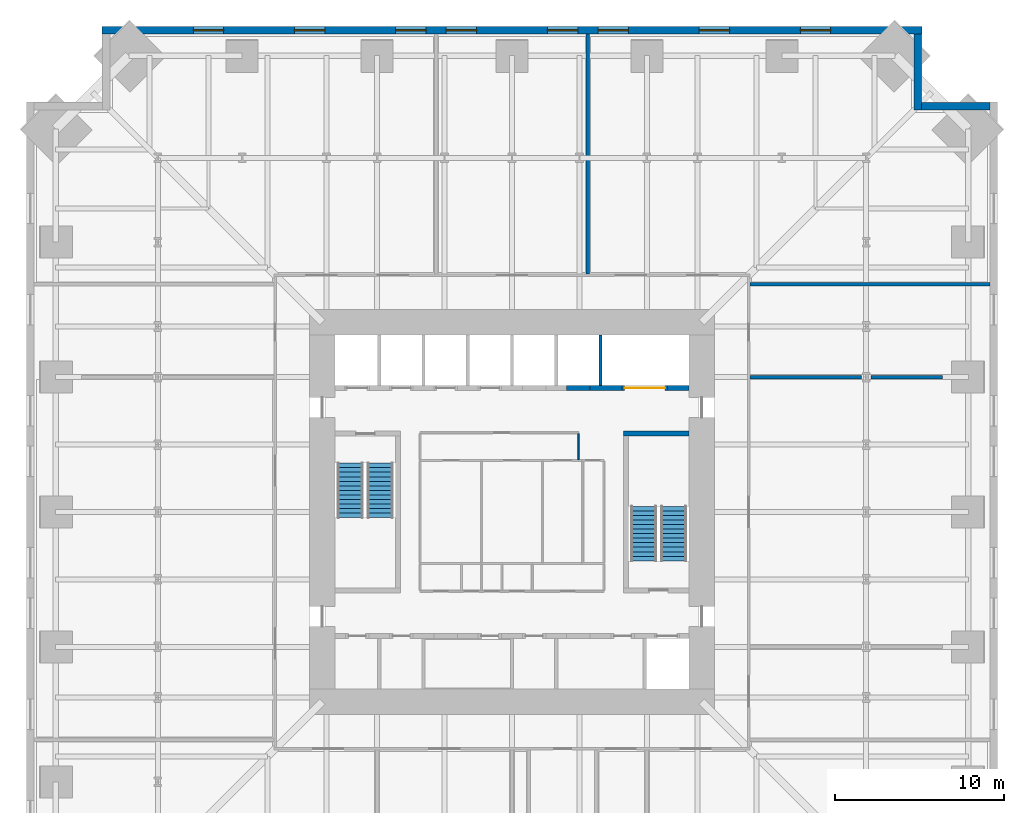
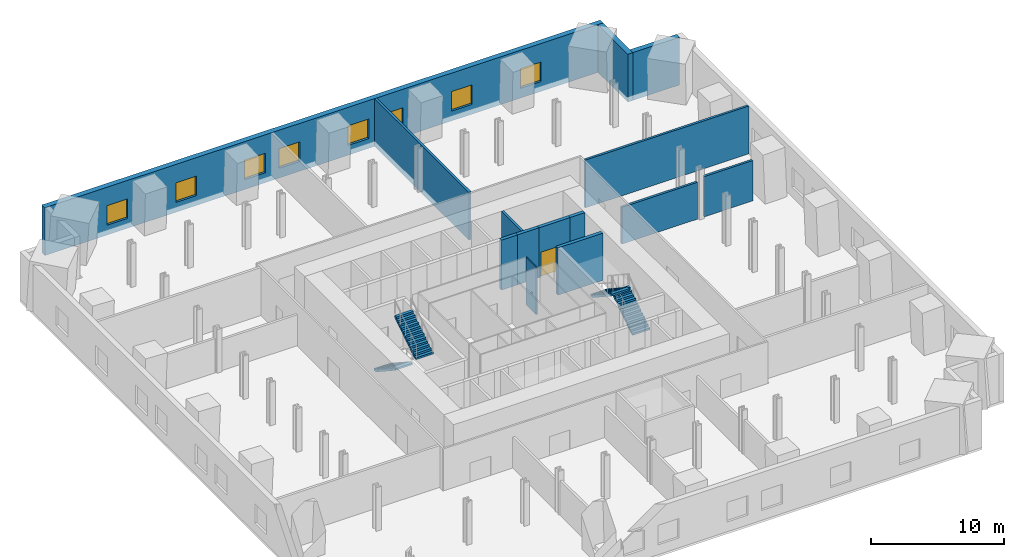
# One storey, part 7 of 8: 14 walls, 8 windows, 4 stair flights, 1 door, 9 openings, 2 elements without a shape of their own.
"""IFC4 building model written with IfcOpenShell, lengths in metres."""

from ifc_helpers import new_model, si_unit, direction, frame, frame_2d, origin, place, context, subcontext, project, spatial, polyline, rectangle, outline, extrude, material, layer, layer_set, type_object, element, fill, aggregate, save


model = new_model("IFC4")

# Units and contexts
model_context = context("Model", 3, precision=1e-05, world=origin(), true_north=direction((0.0, 1.0)))
body_context = subcontext(model_context, "Body", "Model", "MODEL_VIEW")
ifc_project = project(units=[si_unit("LENGTHUNIT", "METRE"), si_unit("AREAUNIT", "SQUARE_METRE"), si_unit("VOLUMEUNIT", "CUBIC_METRE"), si_unit("PLANEANGLEUNIT", "RADIAN"), si_unit("MASSUNIT", "GRAM", prefix="KILO")], contexts=[model_context])

# Site, building, storey
site_placement = place(None, origin())
site = spatial("IfcSite", under=ifc_project, at=site_placement, CompositionType="ELEMENT")
building_placement = place(site_placement, origin())
building = spatial("IfcBuilding", under=site, at=building_placement, Name="Peilmerk Tower", CompositionType="ELEMENT")
storey_placement = place(building_placement, frame((0.0, 0.0, 95.199951171875)))
storey = spatial("IfcBuildingStorey", under=building, at=storey_placement, Name="L18", CompositionType="ELEMENT", Elevation=95.199951171875)

# Wall, openings, windows
ifc_material_1 = material(Name="Precast concrete C45/55, board-marked finish", Category="concrete")
ifc_layer_1 = layer(ifc_material_1, 0.449951171875)
ifc_layer_set_1 = layer_set([ifc_layer_1], Name="Precast concrete C45/55, board-marked finish")
wall_type_1 = type_object("IfcWallType", Name="EW1 450 precast concrete facade wall, board-marked", PredefinedType="SOLIDWALL", material=ifc_layer_set_1)
wall_1_placement = place(storey_placement, frame((24.300048828125, 28.574951171875, 0.0), z_axis=(0.0, 0.0, 1.0), x_axis=(-1.0, 0.0, 0.0)))
wall_1 = element("IfcWall", 1, at=wall_1_placement, inside=storey, type_object=wall_type_1, Name="Facade wall N L18", PredefinedType="SOLIDWALL", context=body_context, shape_type="SweptSolid", body=[
    extrude(rectangle(XDim=48.60009765625, YDim=0.449951171875, at=frame_2d((24.300048828125, 0.0))), origin(), (0.0, 0.0, 1.0), 4.400146484375),
])
opening_1_placement = place(wall_1_placement, frame((5.39990234375, 0.0, 0.89990234375)))
opening_1 = element("IfcOpeningElement", 2, at=opening_1_placement, cuts=wall_1, Name="Opening W3", PredefinedType="OPENING", context=body_context, shape_type="SweptSolid", body=[
    extrude(rectangle(XDim=1.800048828125, YDim=1.800048828125, at=frame_2d((0.89990234375, 0.89990234375))), frame((0.0, 0.23486328125, 0.0), z_axis=(0.0, -1.0, 0.0), x_axis=(1.0, 0.0, 0.0)), (0.0, 0.0, 1.0), 0.469970703125),
])
opening_2_placement = place(wall_1_placement, frame((11.39990234375, 0.0, 0.89990234375)))
opening_2 = element("IfcOpeningElement", 3, at=opening_2_placement, cuts=wall_1, Name="Opening W3", PredefinedType="OPENING", context=body_context, shape_type="SweptSolid", body=[
    extrude(rectangle(XDim=1.800048828125, YDim=1.800048828125, at=frame_2d((0.89990234375, 0.89990234375))), frame((0.0, 0.23486328125, 0.0), z_axis=(0.0, -1.0, 0.0), x_axis=(1.0, 0.0, 0.0)), (0.0, 0.0, 1.0), 0.469970703125),
])
opening_3_placement = place(wall_1_placement, frame((17.39990234375, 0.0, 0.89990234375)))
opening_3 = element("IfcOpeningElement", 4, at=opening_3_placement, cuts=wall_1, Name="Opening W3", PredefinedType="OPENING", context=body_context, shape_type="SweptSolid", body=[
    extrude(rectangle(XDim=1.800048828125, YDim=1.800048828125, at=frame_2d((0.89990234375, 0.89990234375))), frame((0.0, 0.23486328125, 0.0), z_axis=(0.0, -1.0, 0.0), x_axis=(1.0, 0.0, 0.0)), (0.0, 0.0, 1.0), 0.469970703125),
])
opening_4_placement = place(wall_1_placement, frame((20.39990234375, 0.0, 0.89990234375)))
opening_4 = element("IfcOpeningElement", 5, at=opening_4_placement, cuts=wall_1, Name="Opening W3", PredefinedType="OPENING", context=body_context, shape_type="SweptSolid", body=[
    extrude(rectangle(XDim=1.800048828125, YDim=1.800048828125, at=frame_2d((0.89990234375, 0.89990234375))), frame((0.0, 0.23486328125, 0.0), z_axis=(0.0, -1.0, 0.0), x_axis=(1.0, 0.0, 0.0)), (0.0, 0.0, 1.0), 0.469970703125),
])
opening_5_placement = place(wall_1_placement, frame((26.39990234375, 0.0, 0.89990234375)))
opening_5 = element("IfcOpeningElement", 6, at=opening_5_placement, cuts=wall_1, Name="Opening W3", PredefinedType="OPENING", context=body_context, shape_type="SweptSolid", body=[
    extrude(rectangle(XDim=1.800048828125, YDim=1.800048828125, at=frame_2d((0.89990234375, 0.89990234375))), frame((0.0, 0.23486328125, 0.0), z_axis=(0.0, -1.0, 0.0), x_axis=(1.0, 0.0, 0.0)), (0.0, 0.0, 1.0), 0.469970703125),
])
opening_6_placement = place(wall_1_placement, frame((29.39990234375, 0.0, 0.89990234375)))
opening_6 = element("IfcOpeningElement", 7, at=opening_6_placement, cuts=wall_1, Name="Opening W3", PredefinedType="OPENING", context=body_context, shape_type="SweptSolid", body=[
    extrude(rectangle(XDim=1.800048828125, YDim=1.800048828125, at=frame_2d((0.89990234375, 0.89990234375))), frame((0.0, 0.23486328125, 0.0), z_axis=(0.0, -1.0, 0.0), x_axis=(1.0, 0.0, 0.0)), (0.0, 0.0, 1.0), 0.469970703125),
])
opening_7_placement = place(wall_1_placement, frame((35.39990234375, 0.0, 0.89990234375)))
opening_7 = element("IfcOpeningElement", 8, at=opening_7_placement, cuts=wall_1, Name="Opening W3", PredefinedType="OPENING", context=body_context, shape_type="SweptSolid", body=[
    extrude(rectangle(XDim=1.800048828125, YDim=1.800048828125, at=frame_2d((0.89990234375, 0.89990234375))), frame((0.0, 0.23486328125, 0.0), z_axis=(0.0, -1.0, 0.0), x_axis=(1.0, 0.0, 0.0)), (0.0, 0.0, 1.0), 0.469970703125),
])
opening_8_placement = place(wall_1_placement, frame((41.39990234375, 0.0, 0.89990234375)))
opening_8 = element("IfcOpeningElement", 9, at=opening_8_placement, cuts=wall_1, Name="Opening W3", PredefinedType="OPENING", context=body_context, shape_type="SweptSolid", body=[
    extrude(rectangle(XDim=1.800048828125, YDim=1.800048828125, at=frame_2d((0.89990234375, 0.89990234375))), frame((0.0, 0.23486328125, 0.0), z_axis=(0.0, -1.0, 0.0), x_axis=(1.0, 0.0, 0.0)), (0.0, 0.0, 1.0), 0.469970703125),
])
ifc_material_2 = material(Name="Aluminium frame, clear double glazing", Category="aluminium")
window_type = type_object("IfcWindowType", Name="W3 1800x1800 telecom floor window", PartitioningType="SINGLE_PANEL", PredefinedType="WINDOW", material=ifc_material_2)
window_1_placement = place(opening_1_placement, origin())
window_1 = element("IfcWindow", 10, at=window_1_placement, inside=storey, type_object=window_type, Name="Window W3 L18", OverallHeight=1.800048828125, OverallWidth=1.800048828125, PartitioningType="SINGLE_PANEL", PredefinedType="WINDOW", context=body_context, shape_type="SweptSolid", body=[
    extrude(rectangle(XDim=1.800048828125, YDim=1.800048828125, at=frame_2d((0.89990234375, 0.89990234375))), frame((0.0, 0.030029296875, 0.0), z_axis=(0.0, -1.0, 0.0), x_axis=(1.0, 0.0, 0.0)), (0.0, 0.0, 1.0), 0.06005859375),
])
fill(opening_1, window_1)
window_2_placement = place(opening_2_placement, origin())
window_2 = element("IfcWindow", 11, at=window_2_placement, inside=storey, type_object=window_type, Name="Window W3 L18", OverallHeight=1.800048828125, OverallWidth=1.800048828125, PartitioningType="SINGLE_PANEL", PredefinedType="WINDOW", context=body_context, shape_type="SweptSolid", body=[
    extrude(rectangle(XDim=1.800048828125, YDim=1.800048828125, at=frame_2d((0.89990234375, 0.89990234375))), frame((0.0, 0.030029296875, 0.0), z_axis=(0.0, -1.0, 0.0), x_axis=(1.0, 0.0, 0.0)), (0.0, 0.0, 1.0), 0.06005859375),
])
fill(opening_2, window_2)
window_3_placement = place(opening_3_placement, origin())
window_3 = element("IfcWindow", 12, at=window_3_placement, inside=storey, type_object=window_type, Name="Window W3 L18", OverallHeight=1.800048828125, OverallWidth=1.800048828125, PartitioningType="SINGLE_PANEL", PredefinedType="WINDOW", context=body_context, shape_type="SweptSolid", body=[
    extrude(rectangle(XDim=1.800048828125, YDim=1.800048828125, at=frame_2d((0.89990234375, 0.89990234375))), frame((0.0, 0.030029296875, 0.0), z_axis=(0.0, -1.0, 0.0), x_axis=(1.0, 0.0, 0.0)), (0.0, 0.0, 1.0), 0.06005859375),
])
fill(opening_3, window_3)
window_4_placement = place(opening_4_placement, origin())
window_4 = element("IfcWindow", 13, at=window_4_placement, inside=storey, type_object=window_type, Name="Window W3 L18", OverallHeight=1.800048828125, OverallWidth=1.800048828125, PartitioningType="SINGLE_PANEL", PredefinedType="WINDOW", context=body_context, shape_type="SweptSolid", body=[
    extrude(rectangle(XDim=1.800048828125, YDim=1.800048828125, at=frame_2d((0.89990234375, 0.89990234375))), frame((0.0, 0.030029296875, 0.0), z_axis=(0.0, -1.0, 0.0), x_axis=(1.0, 0.0, 0.0)), (0.0, 0.0, 1.0), 0.06005859375),
])
fill(opening_4, window_4)
window_5_placement = place(opening_5_placement, origin())
window_5 = element("IfcWindow", 14, at=window_5_placement, inside=storey, type_object=window_type, Name="Window W3 L18", OverallHeight=1.800048828125, OverallWidth=1.800048828125, PartitioningType="SINGLE_PANEL", PredefinedType="WINDOW", context=body_context, shape_type="SweptSolid", body=[
    extrude(rectangle(XDim=1.800048828125, YDim=1.800048828125, at=frame_2d((0.89990234375, 0.89990234375))), frame((0.0, 0.030029296875, 0.0), z_axis=(0.0, -1.0, 0.0), x_axis=(1.0, 0.0, 0.0)), (0.0, 0.0, 1.0), 0.06005859375),
])
fill(opening_5, window_5)
window_6_placement = place(opening_6_placement, origin())
window_6 = element("IfcWindow", 15, at=window_6_placement, inside=storey, type_object=window_type, Name="Window W3 L18", OverallHeight=1.800048828125, OverallWidth=1.800048828125, PartitioningType="SINGLE_PANEL", PredefinedType="WINDOW", context=body_context, shape_type="SweptSolid", body=[
    extrude(rectangle(XDim=1.800048828125, YDim=1.800048828125, at=frame_2d((0.89990234375, 0.89990234375))), frame((0.0, 0.030029296875, 0.0), z_axis=(0.0, -1.0, 0.0), x_axis=(1.0, 0.0, 0.0)), (0.0, 0.0, 1.0), 0.06005859375),
])
fill(opening_6, window_6)
window_7_placement = place(opening_7_placement, origin())
window_7 = element("IfcWindow", 16, at=window_7_placement, inside=storey, type_object=window_type, Name="Window W3 L18", OverallHeight=1.800048828125, OverallWidth=1.800048828125, PartitioningType="SINGLE_PANEL", PredefinedType="WINDOW", context=body_context, shape_type="SweptSolid", body=[
    extrude(rectangle(XDim=1.800048828125, YDim=1.800048828125, at=frame_2d((0.89990234375, 0.89990234375))), frame((0.0, 0.030029296875, 0.0), z_axis=(0.0, -1.0, 0.0), x_axis=(1.0, 0.0, 0.0)), (0.0, 0.0, 1.0), 0.06005859375),
])
fill(opening_7, window_7)
window_8_placement = place(opening_8_placement, origin())
window_8 = element("IfcWindow", 17, at=window_8_placement, inside=storey, type_object=window_type, Name="Window W3 L18", OverallHeight=1.800048828125, OverallWidth=1.800048828125, PartitioningType="SINGLE_PANEL", PredefinedType="WINDOW", context=body_context, shape_type="SweptSolid", body=[
    extrude(rectangle(XDim=1.800048828125, YDim=1.800048828125, at=frame_2d((0.89990234375, 0.89990234375))), frame((0.0, 0.030029296875, 0.0), z_axis=(0.0, -1.0, 0.0), x_axis=(1.0, 0.0, 0.0)), (0.0, 0.0, 1.0), 0.06005859375),
])
fill(opening_8, window_8)

# Walls
wall_2_placement = place(storey_placement, frame((24.074951171875, 23.85009765625, 0.0), z_axis=(0.0, 0.0, 1.0), x_axis=(0.0, 1.0, 0.0)))
element("IfcWall", 18, at=wall_2_placement, inside=storey, type_object=wall_type_1, Name="Facade wall NEA L18", PredefinedType="SOLIDWALL", context=body_context, shape_type="SweptSolid", body=[
    extrude(rectangle(XDim=4.5, YDim=0.449951171875, at=frame_2d((2.25, 0.0))), origin(), (0.0, 0.0, 1.0), 4.400146484375),
])
wall_3_placement = place(storey_placement, frame((24.300048828125, 24.074951171875, 0.0), z_axis=(0.0, 0.0, 1.0), x_axis=(1.0, 0.0, 0.0)))
element("IfcWall", 19, at=wall_3_placement, inside=storey, type_object=wall_type_1, Name="Facade wall NEB L18", PredefinedType="SOLIDWALL", context=body_context, shape_type="SweptSolid", body=[
    extrude(rectangle(XDim=4.050048828125, YDim=0.449951171875, at=frame_2d((2.02490234375, 0.0))), origin(), (0.0, 0.0, 1.0), 4.400146484375),
])
ifc_material_3 = material(Name="Calcium silicate block", Category="masonry")
ifc_layer_2 = layer(ifc_material_3, 0.199951171875)
ifc_layer_set_2 = layer_set([ifc_layer_2], Name="Calcium silicate block")
wall_type_2 = type_object("IfcWallType", Name="IW2 200 room separating wall, EI 120", PredefinedType="PARTITIONING", material=ifc_layer_set_2)
for number, where, z_axis, x_axis, name in (
    (20, (14.125, 13.5, 0.0), (0.0, 0.0, 1.0), (1.0, 0.0, 0.0), "Room separating wall NE L18"),
    (21, (4.5, 14.125, 0.0), (0.0, 0.0, 1.0), (0.0, 1.0, 0.0), "Room separating wall N2 L18"),
):
    element("IfcWall", number, at=place(storey_placement, frame(where, z_axis=z_axis, x_axis=x_axis)), inside=storey, type_object=wall_type_2, Name=name, PredefinedType="PARTITIONING", context=body_context, shape_type="SweptSolid", body=[
        extrude(rectangle(XDim=14.22509765625, YDim=0.199951171875, at=frame_2d((7.112548828125, 0.0))), origin(), (0.0, 0.0, 1.0), 4.400146484375),
    ])
wall_4_placement = place(storey_placement, frame((14.125, 8.0, 0.0), z_axis=(0.0, 0.0, 1.0), x_axis=(1.0, 0.0, 0.0)))
element("IfcWall", 22, at=wall_4_placement, inside=storey, type_object=wall_type_2, Name="Room separating wall E2 L18", PredefinedType="PARTITIONING", context=body_context, shape_type="SweptSolid", body=[
    extrude(rectangle(XDim=6.590576171875, YDim=0.199951171875, at=frame_2d((3.29541015625, 0.0))), origin(), (0.0, 0.0, 1.0), 3.39208984375),
])
wall_5_placement = place(storey_placement, frame((21.284423828125, 8.0, 0.0), z_axis=(0.0, 0.0, 1.0), x_axis=(1.0, 0.0, 0.0)))
element("IfcWall", 23, at=wall_5_placement, inside=storey, type_object=wall_type_2, Name="Room separating wall E2b L18", PredefinedType="PARTITIONING", context=body_context, shape_type="SweptSolid", body=[
    extrude(rectangle(XDim=4.24462890625, YDim=0.199951171875, at=frame_2d((2.122314453125, 0.0))), origin(), (0.0, 0.0, 1.0), 3.7099609375),
])
ifc_material_4 = material(Name="Concrete C35/45", Category="concrete")
ifc_layer_3 = layer(ifc_material_4, 0.300048828125)
ifc_layer_set_3 = layer_set([ifc_layer_3], Name="Concrete C35/45")
wall_type_3 = type_object("IfcWallType", Name="IW3 300 concrete stair enclosure wall, EI 120", PredefinedType="SOLIDWALL", material=ifc_layer_set_3)
wall_6_placement = place(storey_placement, frame((6.60009765625, 4.64990234375, 0.0), z_axis=(0.0, 0.0, 1.0), x_axis=(1.0, 0.0, 0.0)))
element("IfcWall", 24, at=wall_6_placement, inside=storey, type_object=wall_type_3, Name="Stair 2 enclosure L18", PredefinedType="SOLIDWALL", context=body_context, shape_type="SweptSolid", body=[
    extrude(rectangle(XDim=3.89990234375, YDim=0.300048828125, at=frame_2d((1.949951171875, 0.0))), origin(), (0.0, 0.0, 1.0), 4.35009765625),
])
ifc_material_5 = material(Name="Fire-resisting plasterboard on steel studs", Category="steel")
ifc_layer_4 = layer(ifc_material_5, 0.10009765625)
ifc_layer_set_4 = layer_set([ifc_layer_4], Name="Fire-resisting plasterboard on steel studs")
wall_type_4 = type_object("IfcWallType", Name="IW9 100 WC lobby wall, EI 30", PredefinedType="PARTITIONING", material=ifc_layer_set_4)
wall_7_placement = place(storey_placement, frame((3.949951171875, 3.10009765625, 0.0), z_axis=(0.0, 0.0, 1.0), x_axis=(0.0, 1.0, 0.0)))
element("IfcWall", 25, at=wall_7_placement, inside=storey, type_object=wall_type_4, Name="WC lobby wall L18", PredefinedType="PARTITIONING", context=body_context, shape_type="SweptSolid", body=[
    extrude(rectangle(XDim=1.5498046875, YDim=0.10009765625, at=frame_2d((0.77490234375, 0.0))), origin(), (0.0, 0.0, 1.0), 4.35009765625),
])
ifc_layer_5 = layer(ifc_material_3, 0.199951171875)
ifc_layer_set_5 = layer_set([ifc_layer_5], Name="Calcium silicate block")
wall_type_5 = type_object("IfcWallType", Name="SH1 200 shaft dividing wall, EI 120", PredefinedType="PARTITIONING", material=ifc_layer_set_5)
wall_8_placement = place(storey_placement, frame((5.25, 7.5, 0.0), z_axis=(0.0, 0.0, 1.0), x_axis=(0.0, 1.0, 0.0)))
element("IfcWall", 26, at=wall_8_placement, inside=storey, type_object=wall_type_5, Name="Shaft wall N S2 L18", PredefinedType="PARTITIONING", context=body_context, shape_type="SweptSolid", body=[
    extrude(rectangle(XDim=3.0, YDim=0.199951171875, at=frame_2d((1.5, 0.0))), origin(), (0.0, 0.0, 1.0), 4.60009765625),
])
ifc_layer_6 = layer(ifc_material_3, 0.300048828125)
ifc_layer_set_6 = layer_set([ifc_layer_6], Name="Calcium silicate block")
wall_type_6 = type_object("IfcWallType", Name="SH2 300 lift landing door panel, EI 120", PredefinedType="PARTITIONING", material=ifc_layer_set_6)
wall_9_placement = place(storey_placement, frame((3.237548828125, 7.35009765625, 0.0), z_axis=(0.0, 0.0, 1.0), x_axis=(1.0, 0.0, 0.0)))
element("IfcWall", 27, at=wall_9_placement, inside=storey, type_object=wall_type_6, Name="Lift door panel N S2 L18", PredefinedType="PARTITIONING", context=body_context, shape_type="SweptSolid", body=[
    extrude(rectangle(XDim=1.39990234375, YDim=0.300048828125, at=frame_2d((0.699951171875, 0.0))), origin(), (0.0, 0.0, 1.0), 4.60009765625),
])

# Wall, opening, door
wall_10_placement = place(storey_placement, frame((6.52490234375, 7.35009765625, 0.0), z_axis=(0.0, 0.0, 1.0), x_axis=(1.0, 0.0, 0.0)))
wall_10 = element("IfcWall", 28, at=wall_10_placement, inside=storey, type_object=wall_type_6, Name="Lift door panel N GL1 L18", PredefinedType="PARTITIONING", context=body_context, shape_type="SweptSolid", body=[
    extrude(rectangle(XDim=2.7001953125, YDim=0.300048828125, at=frame_2d((1.35009765625, 0.0))), origin(), (0.0, 0.0, 1.0), 4.60009765625),
])
opening_9_placement = place(wall_10_placement, frame((0.14990234375, 0.0, 0.0)))
opening_9 = element("IfcOpeningElement", 29, at=opening_9_placement, cuts=wall_10, Name="Opening LD3", PredefinedType="OPENING", context=body_context, shape_type="SweptSolid", body=[
    extrude(rectangle(XDim=2.39990234375, YDim=2.300048828125, at=frame_2d((1.199951171875, 1.14990234375))), frame((0.0, 0.159912109375, 0.0), z_axis=(0.0, -1.0, 0.0), x_axis=(1.0, 0.0, 0.0)), (0.0, 0.0, 1.0), 0.320068359375),
])
ifc_material_6 = material(Name="Stainless steel landing door", Category="steel")
door_type = type_object("IfcDoorType", Name="LD3 2400x2300 lift landing door, sliding, EI2 60", OperationType="SLIDING_TO_LEFT", PredefinedType="DOOR", material=ifc_material_6)
door_placement = place(opening_9_placement, frame((2.39990234375, 0.0, 0.0), z_axis=(0.0, 0.0, 1.0), x_axis=(-1.0, 0.0, 0.0)))
door = element("IfcDoor", 30, at=door_placement, inside=storey, type_object=door_type, Name="Lift landing door GL1 L18", OperationType="SLIDING_TO_LEFT", OverallHeight=2.300048828125, OverallWidth=2.39990234375, PredefinedType="DOOR", context=body_context, shape_type="SweptSolid", body=[
    extrude(rectangle(XDim=2.39990234375, YDim=2.300048828125, at=frame_2d((1.199951171875, 1.14990234375))), frame((0.0, 0.02490234375, 0.0), z_axis=(0.0, -1.0, 0.0), x_axis=(1.0, 0.0, 0.0)), (0.0, 0.0, 1.0), 0.050048828125),
])
fill(opening_9, door)

# Walls
ifc_material_7 = material(Name="Concrete C55/67", Category="concrete")
ifc_layer_7 = layer(ifc_material_7, 0.300048828125)
ifc_layer_set_7 = layer_set([ifc_layer_7], Name="Concrete C55/67")
wall_type_7 = type_object("IfcWallType", Name="SW2 300 lift bank pier", PredefinedType="SHEAR", material=ifc_layer_set_7)
wall_11_placement = place(storey_placement, frame((4.637451171875, 7.35009765625, 0.0), z_axis=(0.0, 0.0, 1.0), x_axis=(1.0, 0.0, 0.0)))
element("IfcWall", 31, at=wall_11_placement, inside=storey, type_object=wall_type_7, Name="Lift bank pier N L18", PredefinedType="SHEAR", context=body_context, shape_type="SweptSolid", body=[
    extrude(rectangle(XDim=1.887451171875, YDim=0.300048828125, at=frame_2d((0.94384765625, 0.0))), origin(), (0.0, 0.0, 1.0), 4.60009765625),
])
wall_12_placement = place(storey_placement, frame((9.22509765625, 7.35009765625, 0.0), z_axis=(0.0, 0.0, 1.0), x_axis=(1.0, 0.0, 0.0)))
element("IfcWall", 32, at=wall_12_placement, inside=storey, type_object=wall_type_7, Name="Lift bank pier N L18", PredefinedType="SHEAR", context=body_context, shape_type="SweptSolid", body=[
    extrude(rectangle(XDim=1.27490234375, YDim=0.300048828125, at=frame_2d((0.637451171875, 0.0))), origin(), (0.0, 0.0, 1.0), 4.60009765625),
])

# Stair, stair flights
ifc_material_8 = material(Name="Precast concrete C45/55", Category="concrete")
stair_type_1 = type_object("IfcStairType", Name="ST1 26 risers of 176.9", PredefinedType="HALF_TURN_STAIR", material=ifc_material_8)
stair_1_placement = place(storey_placement, origin())
stair_1 = element("IfcStair", 33, at=stair_1_placement, inside=storey, type_object=stair_type_1, Name="Stair 1 L18 to L19", PredefinedType="HALF_TURN_STAIR")
stair_flight_type = type_object("IfcStairFlightType", Name="SF13 flight, 13 risers of 176.9", PredefinedType="STRAIGHT", material=ifc_material_8)
stair_flight_1_placement = place(storey_placement, frame((-9.60009765625, 2.89990234375, 0.0), z_axis=(0.0, 0.0, 1.0), x_axis=(0.0, -1.0, 0.0)))
stair_flight_1 = element("IfcStairFlight", 34, at=stair_flight_1_placement, type_object=stair_flight_type, Name="ST1 flight 1", NumberOfRisers=13, NumberOfTreads=12, PredefinedType="STRAIGHT", RiserHeight=0.176923077, TreadLength=0.27, context=body_context, shape_type="SweptSolid", body=[
    extrude(outline(polyline([(0.0, 0.0), (0.0, 0.177001953125), (0.27001953125, 0.177001953125), (0.27001953125, 0.353759765625), (0.5400390625, 0.353759765625), (0.5400390625, 0.53076171875), (0.81005859375, 0.53076171875), (0.81005859375, 0.707763671875), (1.080078125, 0.707763671875), (1.080078125, 0.884521484375), (1.35009765625, 0.884521484375), (1.35009765625, 1.0615234375), (1.6201171875, 1.0615234375), (1.6201171875, 1.238525390625), (1.889892578125, 1.238525390625), (1.889892578125, 1.415283203125), (2.159912109375, 1.415283203125), (2.159912109375, 1.59228515625), (2.429931640625, 1.59228515625), (2.429931640625, 1.769287109375), (2.699951171875, 1.769287109375), (2.699951171875, 1.946044921875), (2.969970703125, 1.946044921875), (2.969970703125, 2.123046875), (3.239990234375, 2.123046875), (3.239990234375, 2.300048828125), (3.239990234375, 1.94384765625), (0.2734375, 0.0), (0.0, 0.0)])), frame((0.0, 0.75, 0.0), z_axis=(0.0, -1.0, 0.0), x_axis=(1.0, 0.0, 0.0)), (0.0, 0.0, 1.0), 1.5),
])
stair_flight_2_placement = place(storey_placement, frame((-7.800048828125, -0.340087890625, 2.300048828125), z_axis=(0.0, 0.0, 1.0), x_axis=(0.0, 1.0, 0.0)))
stair_flight_2 = element("IfcStairFlight", 35, at=stair_flight_2_placement, type_object=stair_flight_type, Name="ST1 flight 2", NumberOfRisers=13, NumberOfTreads=12, PredefinedType="STRAIGHT", RiserHeight=0.176923077, TreadLength=0.27, context=body_context, shape_type="SweptSolid", body=[
    extrude(outline(polyline([(0.0, 0.0), (0.0, 0.177001953125), (0.27001953125, 0.177001953125), (0.27001953125, 0.353759765625), (0.5400390625, 0.353759765625), (0.5400390625, 0.53076171875), (0.81005859375, 0.53076171875), (0.81005859375, 0.707763671875), (1.080078125, 0.707763671875), (1.080078125, 0.884521484375), (1.35009765625, 0.884521484375), (1.35009765625, 1.0615234375), (1.6201171875, 1.0615234375), (1.6201171875, 1.238525390625), (1.889892578125, 1.238525390625), (1.889892578125, 1.415283203125), (2.159912109375, 1.415283203125), (2.159912109375, 1.59228515625), (2.429931640625, 1.59228515625), (2.429931640625, 1.769287109375), (2.699951171875, 1.769287109375), (2.699951171875, 1.946044921875), (2.969970703125, 1.946044921875), (2.969970703125, 2.123046875), (3.239990234375, 2.123046875), (3.239990234375, 2.300048828125), (3.239990234375, 1.94384765625), (0.2734375, 0.0), (0.0, 0.0)])), frame((0.0, 0.75, 0.0), z_axis=(0.0, -1.0, 0.0), x_axis=(1.0, 0.0, 0.0)), (0.0, 0.0, 1.0), 1.5),
])
aggregate(stair_1, [stair_flight_1, stair_flight_2])

stair_type_2 = type_object("IfcStairType", Name="ST2 26 risers of 176.9", PredefinedType="HALF_TURN_STAIR", material=ifc_material_8)
stair_2_placement = place(storey_placement, origin())
stair_2 = element("IfcStair", 36, at=stair_2_placement, inside=storey, type_object=stair_type_2, Name="Stair 2 L18 to L19", PredefinedType="HALF_TURN_STAIR")
stair_flight_3_placement = place(storey_placement, frame((9.60009765625, -2.89990234375, 0.0), z_axis=(0.0, 0.0, 1.0), x_axis=(0.0, 1.0, 0.0)))
stair_flight_3 = element("IfcStairFlight", 37, at=stair_flight_3_placement, type_object=stair_flight_type, Name="ST2 flight 1", NumberOfRisers=13, NumberOfTreads=12, PredefinedType="STRAIGHT", RiserHeight=0.176923077, TreadLength=0.27, context=body_context, shape_type="SweptSolid", body=[
    extrude(outline(polyline([(0.0, 0.0), (0.0, 0.177001953125), (0.27001953125, 0.177001953125), (0.27001953125, 0.353759765625), (0.5400390625, 0.353759765625), (0.5400390625, 0.53076171875), (0.81005859375, 0.53076171875), (0.81005859375, 0.707763671875), (1.080078125, 0.707763671875), (1.080078125, 0.884521484375), (1.35009765625, 0.884521484375), (1.35009765625, 1.0615234375), (1.6201171875, 1.0615234375), (1.6201171875, 1.238525390625), (1.889892578125, 1.238525390625), (1.889892578125, 1.415283203125), (2.159912109375, 1.415283203125), (2.159912109375, 1.59228515625), (2.429931640625, 1.59228515625), (2.429931640625, 1.769287109375), (2.699951171875, 1.769287109375), (2.699951171875, 1.946044921875), (2.969970703125, 1.946044921875), (2.969970703125, 2.123046875), (3.239990234375, 2.123046875), (3.239990234375, 2.300048828125), (3.239990234375, 1.94384765625), (0.2734375, 0.0), (0.0, 0.0)])), frame((0.0, 0.75, 0.0), z_axis=(0.0, -1.0, 0.0), x_axis=(1.0, 0.0, 0.0)), (0.0, 0.0, 1.0), 1.5),
])
stair_flight_4_placement = place(storey_placement, frame((7.800048828125, 0.340087890625, 2.300048828125), z_axis=(0.0, 0.0, 1.0), x_axis=(0.0, -1.0, 0.0)))
stair_flight_4 = element("IfcStairFlight", 38, at=stair_flight_4_placement, type_object=stair_flight_type, Name="ST2 flight 2", NumberOfRisers=13, NumberOfTreads=12, PredefinedType="STRAIGHT", RiserHeight=0.176923077, TreadLength=0.27, context=body_context, shape_type="SweptSolid", body=[
    extrude(outline(polyline([(0.0, 0.0), (0.0, 0.177001953125), (0.27001953125, 0.177001953125), (0.27001953125, 0.353759765625), (0.5400390625, 0.353759765625), (0.5400390625, 0.53076171875), (0.81005859375, 0.53076171875), (0.81005859375, 0.707763671875), (1.080078125, 0.707763671875), (1.080078125, 0.884521484375), (1.35009765625, 0.884521484375), (1.35009765625, 1.0615234375), (1.6201171875, 1.0615234375), (1.6201171875, 1.238525390625), (1.889892578125, 1.238525390625), (1.889892578125, 1.415283203125), (2.159912109375, 1.415283203125), (2.159912109375, 1.59228515625), (2.429931640625, 1.59228515625), (2.429931640625, 1.769287109375), (2.699951171875, 1.769287109375), (2.699951171875, 1.946044921875), (2.969970703125, 1.946044921875), (2.969970703125, 2.123046875), (3.239990234375, 2.123046875), (3.239990234375, 2.300048828125), (3.239990234375, 1.94384765625), (0.2734375, 0.0), (0.0, 0.0)])), frame((0.0, 0.75, 0.0), z_axis=(0.0, -1.0, 0.0), x_axis=(1.0, 0.0, 0.0)), (0.0, 0.0, 1.0), 1.5),
])
aggregate(stair_2, [stair_flight_3, stair_flight_4])

save(model, "model.ifc")
